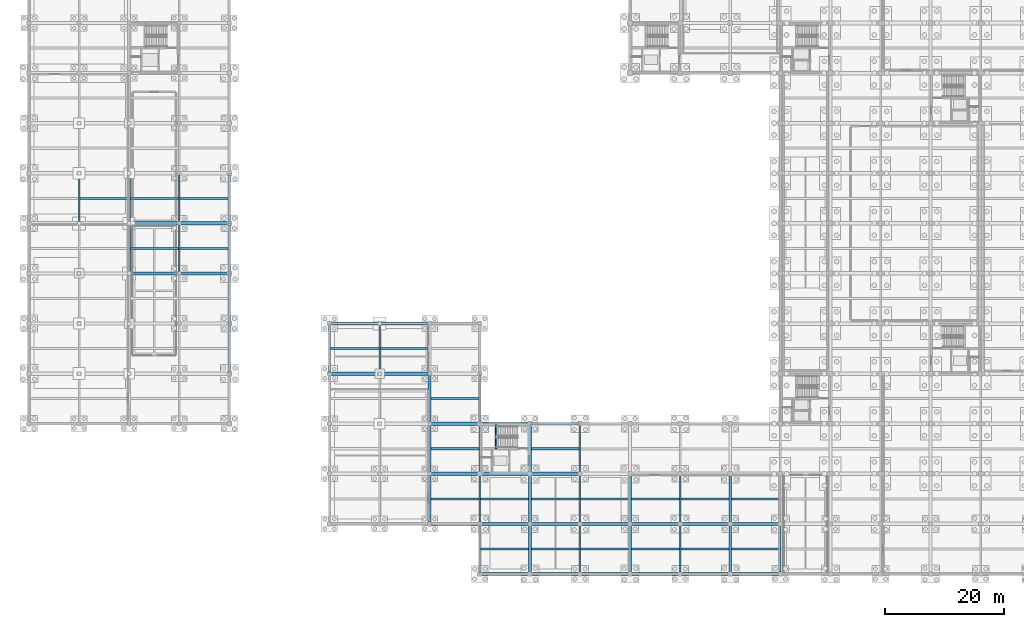
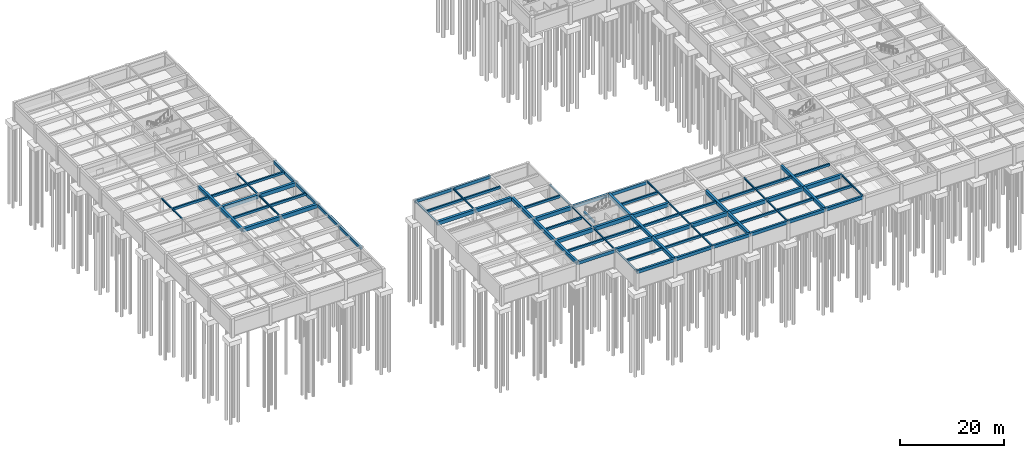
# One storey, part 9 of 33: 82 beams.
"""IFC4 building model written with IfcOpenShell, lengths in metres."""

from ifc_helpers import new_model, si_unit, direction, frame, origin, origin_2d, place, context, subcontext, project, spatial, rectangle, i_section, extrude, material, material_profile, profile_set, type_object, element, save


model = new_model("IFC4")

# Units and contexts
model_context = context("Model", 3, precision=1e-05, world=origin(), true_north=direction((0.0, 1.0)))
body_context = subcontext(model_context, "Body", "Model", "MODEL_VIEW")
ifc_project = project(units=[si_unit("LENGTHUNIT", "METRE"), si_unit("AREAUNIT", "SQUARE_METRE"), si_unit("VOLUMEUNIT", "CUBIC_METRE"), si_unit("PLANEANGLEUNIT", "RADIAN"), si_unit("MASSUNIT", "GRAM", prefix="KILO")], contexts=[model_context])

# Site, building, storey
site_placement = place(None, origin())
site = spatial("IfcSite", under=ifc_project, at=site_placement, CompositionType="ELEMENT")
building_placement = place(site_placement, origin())
building = spatial("IfcBuilding", under=site, at=building_placement, Name="Kveldsbrygga Polytechnic", CompositionType="ELEMENT")
storey_placement = place(building_placement, frame((0.0, 0.0, -4.419921875)))
storey = spatial("IfcBuildingStorey", under=building, at=storey_placement, Name="B1", CompositionType="ELEMENT", Elevation=-4.419921875)

# Beams
ifc_material_1 = material(Name="Concrete C35/45", Category="concrete")
ifc_material_profile_1 = material_profile(ifc_material_1, rectangle(XDim=0.449951171875, YDim=0.75, at=origin_2d()), Name="RC 450x750")
ifc_profile_set_1 = profile_set([ifc_material_profile_1], Name="Concrete C35/45")
beam_type_1 = type_object("IfcBeamType", Name="BM-RC-450x750", PredefinedType="BEAM", material=ifc_profile_set_1)
beam_1_placement = place(storey_placement, frame((67.199951171875, 8.39990234375, 3.724853515625), z_axis=(1.0, 0.0, 0.0), x_axis=(0.0, 1.0, 0.0)))
element("IfcBeam", 1, at=beam_1_placement, inside=storey, type_object=beam_type_1, Name="Primary Beam BMX-B1-08to09-01", PredefinedType="BEAM", context=body_context, shape_type="SweptSolid", body=[
    extrude(rectangle(XDim=0.449951171875, YDim=0.75, at=origin_2d()), origin(), (0.0, 0.0, 1.0), 8.400146484375),
])
for number, where, z_axis, x_axis, name in (
    (2, (75.60009765625, 25.199951171875, 3.724853515625), (1.0, 0.0, 0.0), (0.0, 1.0, 0.0), "Primary Beam BMX-B1-09to10-03"),
    (3, (84.0, 25.199951171875, 3.724853515625), (1.0, 0.0, 0.0), (0.0, 1.0, 0.0), "Primary Beam BMX-B1-10to11-03"),
):
    element("IfcBeam", number, at=place(storey_placement, frame(where, z_axis=z_axis, x_axis=x_axis)), inside=storey, type_object=beam_type_1, Name=name, PredefinedType="BEAM", context=body_context, shape_type="SweptSolid", body=[
        extrude(rectangle(XDim=0.449951171875, YDim=0.75, at=origin_2d()), origin(), (0.0, 0.0, 1.0), 8.39990234375),
    ])
beam_2_placement = place(storey_placement, frame((50.39990234375, 42.0, 3.724853515625), z_axis=(1.0, 0.0, 0.0), x_axis=(0.0, 1.0, 0.0)))
element("IfcBeam", 4, at=beam_2_placement, inside=storey, type_object=beam_type_1, Name="Primary Beam BMX-B1-06to07-05", PredefinedType="BEAM", context=body_context, shape_type="SweptSolid", body=[
    extrude(rectangle(XDim=0.449951171875, YDim=0.75, at=origin_2d()), origin(), (0.0, 0.0, 1.0), 8.400146484375),
])
for number, where, z_axis, x_axis, name in (
    (5, (58.800048828125, 42.0, 3.724853515625), (1.0, 0.0, 0.0), (0.0, 1.0, 0.0), "Primary Beam BMX-B1-07to08-05"),
    (6, (33.60009765625, 33.60009765625, 3.704833984375), (0.0, 1.0, 0.0), (-1.0, 0.0, 0.0), "Primary Beam BMY-B1-04-04to05"),
    (7, (33.60009765625, 42.0, 3.704833984375), (0.0, 1.0, 0.0), (-1.0, 0.0, 0.0), "Primary Beam BMY-B1-04-05to06"),
):
    element("IfcBeam", number, at=place(storey_placement, frame(where, z_axis=z_axis, x_axis=x_axis)), inside=storey, type_object=beam_type_1, Name=name, PredefinedType="BEAM", context=body_context, shape_type="SweptSolid", body=[
        extrude(rectangle(XDim=0.449951171875, YDim=0.75, at=origin_2d()), origin(), (0.0, 0.0, 1.0), 8.39990234375),
    ])
beam_3_placement = place(storey_placement, frame((33.60009765625, 50.39990234375, 3.704833984375), z_axis=(0.0, 1.0, 0.0), x_axis=(-1.0, 0.0, 0.0)))
element("IfcBeam", 8, at=beam_3_placement, inside=storey, type_object=beam_type_1, Name="Primary Beam BMY-B1-04-06to07", PredefinedType="BEAM", context=body_context, shape_type="SweptSolid", body=[
    extrude(rectangle(XDim=0.449951171875, YDim=0.75, at=origin_2d()), origin(), (0.0, 0.0, 1.0), 8.400146484375),
])
beam_4_placement = place(storey_placement, frame((33.60009765625, 58.800048828125, 3.704833984375), z_axis=(0.0, 1.0, 0.0), x_axis=(-1.0, 0.0, 0.0)))
element("IfcBeam", 9, at=beam_4_placement, inside=storey, type_object=beam_type_1, Name="Primary Beam BMY-B1-04-07to08", PredefinedType="BEAM", context=body_context, shape_type="SweptSolid", body=[
    extrude(rectangle(XDim=0.449951171875, YDim=0.75, at=origin_2d()), origin(), (0.0, 0.0, 1.0), 8.39990234375),
])
ifc_material_profile_2 = material_profile(ifc_material_1, rectangle(XDim=0.4599609375, YDim=0.739990234375, at=origin_2d()), Name="RC 460x740")
ifc_profile_set_2 = profile_set([ifc_material_profile_2], Name="Concrete C35/45")
beam_type_2 = type_object("IfcBeamType", Name="BM-RC-460x740", PredefinedType="BEAM", material=ifc_profile_set_2)
for number, where, z_axis, x_axis, name in (
    (10, (75.60009765625, 0.0, 3.75), (1.0, 0.0, 0.0), (0.0, 1.0, 0.0), "Primary Beam BMX-B1-09to10-00"),
    (11, (84.0, 0.0, 3.75), (1.0, 0.0, 0.0), (0.0, 1.0, 0.0), "Primary Beam BMX-B1-10to11-00"),
):
    element("IfcBeam", number, at=place(storey_placement, frame(where, z_axis=z_axis, x_axis=x_axis)), inside=storey, type_object=beam_type_2, Name=name, PredefinedType="BEAM", context=body_context, shape_type="SweptSolid", body=[
        extrude(rectangle(XDim=0.4599609375, YDim=0.739990234375, at=origin_2d()), origin(), (0.0, 0.0, 1.0), 8.39990234375),
    ])
beam_5_placement = place(storey_placement, frame((92.39990234375, 0.0, 3.75), z_axis=(1.0, 0.0, 0.0), x_axis=(0.0, 1.0, 0.0)))
element("IfcBeam", 12, at=beam_5_placement, inside=storey, type_object=beam_type_2, Name="Primary Beam BMX-B1-11to12-00", PredefinedType="BEAM", context=body_context, shape_type="SweptSolid", body=[
    extrude(rectangle(XDim=0.4599609375, YDim=0.739990234375, at=origin_2d()), origin(), (0.0, 0.0, 1.0), 8.400146484375),
])
beam_6_placement = place(storey_placement, frame((100.800048828125, 0.0, 3.75), z_axis=(1.0, 0.0, 0.0), x_axis=(0.0, 1.0, 0.0)))
element("IfcBeam", 13, at=beam_6_placement, inside=storey, type_object=beam_type_2, Name="Primary Beam BMX-B1-12to13-00", PredefinedType="BEAM", context=body_context, shape_type="SweptSolid", body=[
    extrude(rectangle(XDim=0.4599609375, YDim=0.739990234375, at=origin_2d()), origin(), (0.0, 0.0, 1.0), 8.39990234375),
])
beam_7_placement = place(storey_placement, frame((109.199951171875, 0.0, 3.75), z_axis=(1.0, 0.0, 0.0), x_axis=(0.0, 1.0, 0.0)))
element("IfcBeam", 14, at=beam_7_placement, inside=storey, type_object=beam_type_2, Name="Primary Beam BMX-B1-13to14-00", PredefinedType="BEAM", context=body_context, shape_type="SweptSolid", body=[
    extrude(rectangle(XDim=0.4599609375, YDim=0.739990234375, at=origin_2d()), origin(), (0.0, 0.0, 1.0), 8.400146484375),
])
beam_8_placement = place(storey_placement, frame((117.60009765625, 0.0, 3.75), z_axis=(1.0, 0.0, 0.0), x_axis=(0.0, 1.0, 0.0)))
element("IfcBeam", 15, at=beam_8_placement, inside=storey, type_object=beam_type_2, Name="Primary Beam BMX-B1-14to15-00", PredefinedType="BEAM", context=body_context, shape_type="SweptSolid", body=[
    extrude(rectangle(XDim=0.4599609375, YDim=0.739990234375, at=origin_2d()), origin(), (0.0, 0.0, 1.0), 8.39990234375),
])
ifc_material_profile_3 = material_profile(ifc_material_1, rectangle(XDim=0.5, YDim=0.800048828125, at=origin_2d()), Name="RC 500x800")
ifc_profile_set_3 = profile_set([ifc_material_profile_3], Name="Concrete C35/45")
beam_type_3 = type_object("IfcBeamType", Name="BM-RC-500x800", PredefinedType="BEAM", material=ifc_profile_set_3)
beam_9_placement = place(storey_placement, frame((16.800048828125, 50.39990234375, 3.679931640625), z_axis=(0.0, 1.0, 0.0), x_axis=(-1.0, 0.0, 0.0)))
element("IfcBeam", 16, at=beam_9_placement, inside=storey, type_object=beam_type_3, Name="Primary Beam BMY-B1-02-06to07", PredefinedType="BEAM", context=body_context, shape_type="SweptSolid", body=[
    extrude(rectangle(XDim=0.5, YDim=0.800048828125, at=origin_2d()), origin(), (0.0, 0.0, 1.0), 8.400146484375),
])
beam_10_placement = place(storey_placement, frame((16.800048828125, 58.800048828125, 3.679931640625), z_axis=(0.0, 1.0, 0.0), x_axis=(-1.0, 0.0, 0.0)))
element("IfcBeam", 17, at=beam_10_placement, inside=storey, type_object=beam_type_3, Name="Primary Beam BMY-B1-02-07to08", PredefinedType="BEAM", context=body_context, shape_type="SweptSolid", body=[
    extrude(rectangle(XDim=0.5, YDim=0.800048828125, at=origin_2d()), origin(), (0.0, 0.0, 1.0), 8.39990234375),
])
beam_11_placement = place(storey_placement, frame((67.199951171875, 8.39990234375, 3.699951171875), z_axis=(0.0, 1.0, 0.0), x_axis=(-1.0, 0.0, 0.0)))
element("IfcBeam", 18, at=beam_11_placement, inside=storey, type_object=beam_type_3, Name="Primary Beam BMY-B1-08-01to02", PredefinedType="BEAM", context=body_context, shape_type="SweptSolid", body=[
    extrude(rectangle(XDim=0.5, YDim=0.800048828125, at=origin_2d()), origin(), (0.0, 0.0, 1.0), 8.400146484375),
])
beam_12_placement = place(storey_placement, frame((67.199951171875, 16.800048828125, 3.699951171875), z_axis=(0.0, 1.0, 0.0), x_axis=(-1.0, 0.0, 0.0)))
element("IfcBeam", 19, at=beam_12_placement, inside=storey, type_object=beam_type_3, Name="Primary Beam BMY-B1-08-02to03", PredefinedType="BEAM", context=body_context, shape_type="SweptSolid", body=[
    extrude(rectangle(XDim=0.5, YDim=0.800048828125, at=origin_2d()), origin(), (0.0, 0.0, 1.0), 8.39990234375),
])
beam_13_placement = place(storey_placement, frame((67.199951171875, 25.199951171875, 3.699951171875), z_axis=(0.0, 1.0, 0.0), x_axis=(-1.0, 0.0, 0.0)))
element("IfcBeam", 20, at=beam_13_placement, inside=storey, type_object=beam_type_3, Name="Primary Beam BMY-B1-08-03to04", PredefinedType="BEAM", context=body_context, shape_type="SweptSolid", body=[
    extrude(rectangle(XDim=0.5, YDim=0.800048828125, at=origin_2d()), origin(), (0.0, 0.0, 1.0), 8.400146484375),
])
beam_14_placement = place(storey_placement, frame((84.0, 0.0, 3.719970703125), z_axis=(0.0, 1.0, 0.0), x_axis=(-1.0, 0.0, 0.0)))
element("IfcBeam", 21, at=beam_14_placement, inside=storey, type_object=beam_type_3, Name="Primary Beam BMY-B1-10-00to01", PredefinedType="BEAM", context=body_context, shape_type="SweptSolid", body=[
    extrude(rectangle(XDim=0.5, YDim=0.800048828125, at=origin_2d()), origin(), (0.0, 0.0, 1.0), 8.39990234375),
])
beam_15_placement = place(storey_placement, frame((84.0, 8.39990234375, 3.719970703125), z_axis=(0.0, 1.0, 0.0), x_axis=(-1.0, 0.0, 0.0)))
element("IfcBeam", 22, at=beam_15_placement, inside=storey, type_object=beam_type_3, Name="Primary Beam BMY-B1-10-01to02", PredefinedType="BEAM", context=body_context, shape_type="SweptSolid", body=[
    extrude(rectangle(XDim=0.5, YDim=0.800048828125, at=origin_2d()), origin(), (0.0, 0.0, 1.0), 8.400146484375),
])
for number, where, z_axis, x_axis, name in (
    (23, (84.0, 16.800048828125, 3.719970703125), (0.0, 1.0, 0.0), (-1.0, 0.0, 0.0), "Primary Beam BMY-B1-10-02to03"),
    (24, (100.800048828125, 0.0, 3.719970703125), (0.0, 1.0, 0.0), (-1.0, 0.0, 0.0), "Primary Beam BMY-B1-12-00to01"),
):
    element("IfcBeam", number, at=place(storey_placement, frame(where, z_axis=z_axis, x_axis=x_axis)), inside=storey, type_object=beam_type_3, Name=name, PredefinedType="BEAM", context=body_context, shape_type="SweptSolid", body=[
        extrude(rectangle(XDim=0.5, YDim=0.800048828125, at=origin_2d()), origin(), (0.0, 0.0, 1.0), 8.39990234375),
    ])
beam_16_placement = place(storey_placement, frame((100.800048828125, 8.39990234375, 3.719970703125), z_axis=(0.0, 1.0, 0.0), x_axis=(-1.0, 0.0, 0.0)))
element("IfcBeam", 25, at=beam_16_placement, inside=storey, type_object=beam_type_3, Name="Primary Beam BMY-B1-12-01to02", PredefinedType="BEAM", context=body_context, shape_type="SweptSolid", body=[
    extrude(rectangle(XDim=0.5, YDim=0.800048828125, at=origin_2d()), origin(), (0.0, 0.0, 1.0), 8.400146484375),
])
beam_17_placement = place(storey_placement, frame((117.60009765625, 0.0, 3.719970703125), z_axis=(0.0, 1.0, 0.0), x_axis=(-1.0, 0.0, 0.0)))
element("IfcBeam", 26, at=beam_17_placement, inside=storey, type_object=beam_type_3, Name="Primary Beam BMY-B1-14-00to01", PredefinedType="BEAM", context=body_context, shape_type="SweptSolid", body=[
    extrude(rectangle(XDim=0.5, YDim=0.800048828125, at=origin_2d()), origin(), (0.0, 0.0, 1.0), 8.39990234375),
])
beam_18_placement = place(storey_placement, frame((117.60009765625, 8.39990234375, 3.719970703125), z_axis=(0.0, 1.0, 0.0), x_axis=(-1.0, 0.0, 0.0)))
element("IfcBeam", 27, at=beam_18_placement, inside=storey, type_object=beam_type_3, Name="Primary Beam BMY-B1-14-01to02", PredefinedType="BEAM", context=body_context, shape_type="SweptSolid", body=[
    extrude(rectangle(XDim=0.5, YDim=0.800048828125, at=origin_2d()), origin(), (0.0, 0.0, 1.0), 8.400146484375),
])
ifc_material_2 = material(Name="Concrete C45/55", Category="concrete")
ifc_material_profile_4 = material_profile(ifc_material_2, rectangle(XDim=0.550048828125, YDim=0.8798828125, at=origin_2d()), Name="RC 550x880")
ifc_profile_set_4 = profile_set([ifc_material_profile_4], Name="Concrete C45/55")
beam_type_4 = type_object("IfcBeamType", Name="BM-RC-550x880", PredefinedType="BEAM", material=ifc_profile_set_4)
for number, where, z_axis, x_axis, name in (
    (28, (75.60009765625, 8.39990234375, 3.679931640625), (1.0, 0.0, 0.0), (0.0, 1.0, 0.0), "Primary Beam BMX-B1-09to10-01"),
    (29, (84.0, 8.39990234375, 3.679931640625), (1.0, 0.0, 0.0), (0.0, 1.0, 0.0), "Primary Beam BMX-B1-10to11-01"),
):
    element("IfcBeam", number, at=place(storey_placement, frame(where, z_axis=z_axis, x_axis=x_axis)), inside=storey, type_object=beam_type_4, Name=name, PredefinedType="BEAM", context=body_context, shape_type="SweptSolid", body=[
        extrude(rectangle(XDim=0.550048828125, YDim=0.8798828125, at=origin_2d()), origin(), (0.0, 0.0, 1.0), 8.39990234375),
    ])
beam_19_placement = place(storey_placement, frame((92.39990234375, 8.39990234375, 3.679931640625), z_axis=(1.0, 0.0, 0.0), x_axis=(0.0, 1.0, 0.0)))
element("IfcBeam", 30, at=beam_19_placement, inside=storey, type_object=beam_type_4, Name="Primary Beam BMX-B1-11to12-01", PredefinedType="BEAM", context=body_context, shape_type="SweptSolid", body=[
    extrude(rectangle(XDim=0.550048828125, YDim=0.8798828125, at=origin_2d()), origin(), (0.0, 0.0, 1.0), 8.400146484375),
])
beam_20_placement = place(storey_placement, frame((100.800048828125, 8.39990234375, 3.679931640625), z_axis=(1.0, 0.0, 0.0), x_axis=(0.0, 1.0, 0.0)))
element("IfcBeam", 31, at=beam_20_placement, inside=storey, type_object=beam_type_4, Name="Primary Beam BMX-B1-12to13-01", PredefinedType="BEAM", context=body_context, shape_type="SweptSolid", body=[
    extrude(rectangle(XDim=0.550048828125, YDim=0.8798828125, at=origin_2d()), origin(), (0.0, 0.0, 1.0), 8.39990234375),
])
beam_21_placement = place(storey_placement, frame((109.199951171875, 8.39990234375, 3.679931640625), z_axis=(1.0, 0.0, 0.0), x_axis=(0.0, 1.0, 0.0)))
element("IfcBeam", 32, at=beam_21_placement, inside=storey, type_object=beam_type_4, Name="Primary Beam BMX-B1-13to14-01", PredefinedType="BEAM", context=body_context, shape_type="SweptSolid", body=[
    extrude(rectangle(XDim=0.550048828125, YDim=0.8798828125, at=origin_2d()), origin(), (0.0, 0.0, 1.0), 8.400146484375),
])
beam_22_placement = place(storey_placement, frame((117.60009765625, 8.39990234375, 3.679931640625), z_axis=(1.0, 0.0, 0.0), x_axis=(0.0, 1.0, 0.0)))
element("IfcBeam", 33, at=beam_22_placement, inside=storey, type_object=beam_type_4, Name="Primary Beam BMX-B1-14to15-01", PredefinedType="BEAM", context=body_context, shape_type="SweptSolid", body=[
    extrude(rectangle(XDim=0.550048828125, YDim=0.8798828125, at=origin_2d()), origin(), (0.0, 0.0, 1.0), 8.39990234375),
])
beam_23_placement = place(storey_placement, frame((67.199951171875, 16.800048828125, 3.659912109375), z_axis=(1.0, 0.0, 0.0), x_axis=(0.0, 1.0, 0.0)))
element("IfcBeam", 34, at=beam_23_placement, inside=storey, type_object=beam_type_4, Name="Primary Beam BMX-B1-08to09-02", PredefinedType="BEAM", context=body_context, shape_type="SweptSolid", body=[
    extrude(rectangle(XDim=0.550048828125, YDim=0.8798828125, at=origin_2d()), origin(), (0.0, 0.0, 1.0), 8.400146484375),
])
for number, where, z_axis, x_axis, name in (
    (35, (75.60009765625, 16.800048828125, 3.679931640625), (1.0, 0.0, 0.0), (0.0, 1.0, 0.0), "Primary Beam BMX-B1-09to10-02"),
    (36, (84.0, 16.800048828125, 3.679931640625), (1.0, 0.0, 0.0), (0.0, 1.0, 0.0), "Primary Beam BMX-B1-10to11-02"),
):
    element("IfcBeam", number, at=place(storey_placement, frame(where, z_axis=z_axis, x_axis=x_axis)), inside=storey, type_object=beam_type_4, Name=name, PredefinedType="BEAM", context=body_context, shape_type="SweptSolid", body=[
        extrude(rectangle(XDim=0.550048828125, YDim=0.8798828125, at=origin_2d()), origin(), (0.0, 0.0, 1.0), 8.39990234375),
    ])
for number, where, z_axis, x_axis, name in (
    (37, (67.199951171875, 25.199951171875, 3.659912109375), (1.0, 0.0, 0.0), (0.0, 1.0, 0.0), "Primary Beam BMX-B1-08to09-03"),
    (38, (50.39990234375, 33.60009765625, 3.659912109375), (1.0, 0.0, 0.0), (0.0, 1.0, 0.0), "Primary Beam BMX-B1-06to07-04"),
):
    element("IfcBeam", number, at=place(storey_placement, frame(where, z_axis=z_axis, x_axis=x_axis)), inside=storey, type_object=beam_type_4, Name=name, PredefinedType="BEAM", context=body_context, shape_type="SweptSolid", body=[
        extrude(rectangle(XDim=0.550048828125, YDim=0.8798828125, at=origin_2d()), origin(), (0.0, 0.0, 1.0), 8.400146484375),
    ])
for number, where, z_axis, x_axis, name in (
    (39, (58.800048828125, 33.60009765625, 3.659912109375), (1.0, 0.0, 0.0), (0.0, 1.0, 0.0), "Primary Beam BMX-B1-07to08-04"),
    (40, (16.800048828125, 50.39990234375, 3.639892578125), (1.0, 0.0, 0.0), (0.0, 1.0, 0.0), "Primary Beam BMX-B1-02to03-06"),
):
    element("IfcBeam", number, at=place(storey_placement, frame(where, z_axis=z_axis, x_axis=x_axis)), inside=storey, type_object=beam_type_4, Name=name, PredefinedType="BEAM", context=body_context, shape_type="SweptSolid", body=[
        extrude(rectangle(XDim=0.550048828125, YDim=0.8798828125, at=origin_2d()), origin(), (0.0, 0.0, 1.0), 8.39990234375),
    ])
beam_24_placement = place(storey_placement, frame((25.199951171875, 50.39990234375, 3.639892578125), z_axis=(1.0, 0.0, 0.0), x_axis=(0.0, 1.0, 0.0)))
element("IfcBeam", 41, at=beam_24_placement, inside=storey, type_object=beam_type_4, Name="Primary Beam BMX-B1-03to04-06", PredefinedType="BEAM", context=body_context, shape_type="SweptSolid", body=[
    extrude(rectangle(XDim=0.550048828125, YDim=0.8798828125, at=origin_2d()), origin(), (0.0, 0.0, 1.0), 8.400146484375),
])
beam_25_placement = place(storey_placement, frame((16.800048828125, 58.800048828125, 3.639892578125), z_axis=(1.0, 0.0, 0.0), x_axis=(0.0, 1.0, 0.0)))
element("IfcBeam", 42, at=beam_25_placement, inside=storey, type_object=beam_type_4, Name="Primary Beam BMX-B1-02to03-07", PredefinedType="BEAM", context=body_context, shape_type="SweptSolid", body=[
    extrude(rectangle(XDim=0.550048828125, YDim=0.8798828125, at=origin_2d()), origin(), (0.0, 0.0, 1.0), 8.39990234375),
])
beam_26_placement = place(storey_placement, frame((25.199951171875, 58.800048828125, 3.639892578125), z_axis=(1.0, 0.0, 0.0), x_axis=(0.0, 1.0, 0.0)))
element("IfcBeam", 43, at=beam_26_placement, inside=storey, type_object=beam_type_4, Name="Primary Beam BMX-B1-03to04-07", PredefinedType="BEAM", context=body_context, shape_type="SweptSolid", body=[
    extrude(rectangle(XDim=0.550048828125, YDim=0.8798828125, at=origin_2d()), origin(), (0.0, 0.0, 1.0), 8.400146484375),
])
ifc_material_3 = material(Name="Steel S355", Category="steel")
ifc_material_profile_5 = material_profile(ifc_material_3, i_section(OverallWidth=0.300048828125, OverallDepth=0.31005859375, WebThickness=0.009033203125, FlangeThickness=0.015380859375, FilletRadius=0.027099609375, at=origin_2d()), Name="HEA 320")
ifc_profile_set_5 = profile_set([ifc_material_profile_5], Name="Steel S355")
beam_type_5 = type_object("IfcBeamType", Name="BM-STL-HEA320", PredefinedType="BEAM", material=ifc_profile_set_5)
for number, where, z_axis, x_axis, name in (
    (44, (50.39990234375, 33.60009765625, 3.94482421875), (0.0, 1.0, 0.0), (-1.0, 0.0, 0.0), "Primary Beam BMY-B1-06-04to05"),
    (45, (75.60009765625, 0.0, 3.94482421875), (0.0, 1.0, 0.0), (-1.0, 0.0, 0.0), "Primary Beam BMY-B1-09-00to01"),
):
    element("IfcBeam", number, at=place(storey_placement, frame(where, z_axis=z_axis, x_axis=x_axis)), inside=storey, type_object=beam_type_5, Name=name, PredefinedType="BEAM", context=body_context, shape_type="SweptSolid", body=[
        extrude(i_section(OverallWidth=0.300048828125, OverallDepth=0.31005859375, WebThickness=0.009033203125, FlangeThickness=0.015380859375, FilletRadius=0.027099609375, at=origin_2d()), origin(), (0.0, 0.0, 1.0), 8.39990234375),
    ])
beam_27_placement = place(storey_placement, frame((75.60009765625, 25.199951171875, 3.94482421875), z_axis=(0.0, 1.0, 0.0), x_axis=(-1.0, 0.0, 0.0)))
element("IfcBeam", 46, at=beam_27_placement, inside=storey, type_object=beam_type_5, Name="Primary Beam BMY-B1-09-03to04", PredefinedType="BEAM", context=body_context, shape_type="SweptSolid", body=[
    extrude(i_section(OverallWidth=0.300048828125, OverallDepth=0.31005859375, WebThickness=0.009033203125, FlangeThickness=0.015380859375, FilletRadius=0.027099609375, at=origin_2d()), origin(), (0.0, 0.0, 1.0), 8.400146484375),
])
ifc_material_profile_6 = material_profile(ifc_material_3, i_section(OverallWidth=0.260009765625, OverallDepth=0.260009765625, WebThickness=0.010009765625, FlangeThickness=0.017578125, FilletRadius=0.02392578125, at=origin_2d()), Name="HEB 260")
ifc_profile_set_6 = profile_set([ifc_material_profile_6], Name="Steel S355")
beam_type_6 = type_object("IfcBeamType", Name="BM-STL-HEB260", PredefinedType="BEAM", material=ifc_profile_set_6)
beam_28_placement = place(storey_placement, frame((8.39990234375, 58.800048828125, 3.949951171875), z_axis=(0.0, 1.0, 0.0), x_axis=(-1.0, 0.0, 0.0)))
element("IfcBeam", 47, at=beam_28_placement, inside=storey, type_object=beam_type_6, Name="Primary Beam BMY-B1-01-07to08", PredefinedType="BEAM", context=body_context, shape_type="SweptSolid", body=[
    extrude(i_section(OverallWidth=0.260009765625, OverallDepth=0.260009765625, WebThickness=0.010009765625, FlangeThickness=0.017578125, FilletRadius=0.02392578125, at=origin_2d()), origin(), (0.0, 0.0, 1.0), 8.39990234375),
])
beam_29_placement = place(storey_placement, frame((25.199951171875, 50.39990234375, 3.949951171875), z_axis=(0.0, 1.0, 0.0), x_axis=(-1.0, 0.0, 0.0)))
element("IfcBeam", 48, at=beam_29_placement, inside=storey, type_object=beam_type_6, Name="Primary Beam BMY-B1-03-06to07", PredefinedType="BEAM", context=body_context, shape_type="SweptSolid", body=[
    extrude(i_section(OverallWidth=0.260009765625, OverallDepth=0.260009765625, WebThickness=0.010009765625, FlangeThickness=0.017578125, FilletRadius=0.02392578125, at=origin_2d()), origin(), (0.0, 0.0, 1.0), 8.400146484375),
])
for number, where, z_axis, x_axis, name in (
    (49, (25.199951171875, 58.800048828125, 3.949951171875), (0.0, 1.0, 0.0), (-1.0, 0.0, 0.0), "Primary Beam BMY-B1-03-07to08"),
    (50, (58.800048828125, 33.60009765625, 3.969970703125), (0.0, 1.0, 0.0), (-1.0, 0.0, 0.0), "Primary Beam BMY-B1-07-04to05"),
):
    element("IfcBeam", number, at=place(storey_placement, frame(where, z_axis=z_axis, x_axis=x_axis)), inside=storey, type_object=beam_type_6, Name=name, PredefinedType="BEAM", context=body_context, shape_type="SweptSolid", body=[
        extrude(i_section(OverallWidth=0.260009765625, OverallDepth=0.260009765625, WebThickness=0.010009765625, FlangeThickness=0.017578125, FilletRadius=0.02392578125, at=origin_2d()), origin(), (0.0, 0.0, 1.0), 8.39990234375),
    ])
beam_30_placement = place(storey_placement, frame((75.60009765625, 8.39990234375, 3.969970703125), z_axis=(0.0, 1.0, 0.0), x_axis=(-1.0, 0.0, 0.0)))
element("IfcBeam", 51, at=beam_30_placement, inside=storey, type_object=beam_type_6, Name="Primary Beam BMY-B1-09-01to02", PredefinedType="BEAM", context=body_context, shape_type="SweptSolid", body=[
    extrude(i_section(OverallWidth=0.260009765625, OverallDepth=0.260009765625, WebThickness=0.010009765625, FlangeThickness=0.017578125, FilletRadius=0.02392578125, at=origin_2d()), origin(), (0.0, 0.0, 1.0), 8.400146484375),
])
for number, where, z_axis, x_axis, name in (
    (52, (75.60009765625, 16.800048828125, 3.969970703125), (0.0, 1.0, 0.0), (-1.0, 0.0, 0.0), "Primary Beam BMY-B1-09-02to03"),
    (53, (92.39990234375, 0.0, 3.989990234375), (0.0, 1.0, 0.0), (-1.0, 0.0, 0.0), "Primary Beam BMY-B1-11-00to01"),
):
    element("IfcBeam", number, at=place(storey_placement, frame(where, z_axis=z_axis, x_axis=x_axis)), inside=storey, type_object=beam_type_6, Name=name, PredefinedType="BEAM", context=body_context, shape_type="SweptSolid", body=[
        extrude(i_section(OverallWidth=0.260009765625, OverallDepth=0.260009765625, WebThickness=0.010009765625, FlangeThickness=0.017578125, FilletRadius=0.02392578125, at=origin_2d()), origin(), (0.0, 0.0, 1.0), 8.39990234375),
    ])
beam_31_placement = place(storey_placement, frame((92.39990234375, 8.39990234375, 3.989990234375), z_axis=(0.0, 1.0, 0.0), x_axis=(-1.0, 0.0, 0.0)))
element("IfcBeam", 54, at=beam_31_placement, inside=storey, type_object=beam_type_6, Name="Primary Beam BMY-B1-11-01to02", PredefinedType="BEAM", context=body_context, shape_type="SweptSolid", body=[
    extrude(i_section(OverallWidth=0.260009765625, OverallDepth=0.260009765625, WebThickness=0.010009765625, FlangeThickness=0.017578125, FilletRadius=0.02392578125, at=origin_2d()), origin(), (0.0, 0.0, 1.0), 8.400146484375),
])
for number, where, z_axis, x_axis, name in (
    (55, (92.39990234375, 16.800048828125, 3.989990234375), (0.0, 1.0, 0.0), (-1.0, 0.0, 0.0), "Primary Beam BMY-B1-11-02to03"),
    (56, (109.199951171875, 0.0, 3.989990234375), (0.0, 1.0, 0.0), (-1.0, 0.0, 0.0), "Primary Beam BMY-B1-13-00to01"),
):
    element("IfcBeam", number, at=place(storey_placement, frame(where, z_axis=z_axis, x_axis=x_axis)), inside=storey, type_object=beam_type_6, Name=name, PredefinedType="BEAM", context=body_context, shape_type="SweptSolid", body=[
        extrude(i_section(OverallWidth=0.260009765625, OverallDepth=0.260009765625, WebThickness=0.010009765625, FlangeThickness=0.017578125, FilletRadius=0.02392578125, at=origin_2d()), origin(), (0.0, 0.0, 1.0), 8.39990234375),
    ])
beam_32_placement = place(storey_placement, frame((109.199951171875, 8.39990234375, 3.989990234375), z_axis=(0.0, 1.0, 0.0), x_axis=(-1.0, 0.0, 0.0)))
element("IfcBeam", 57, at=beam_32_placement, inside=storey, type_object=beam_type_6, Name="Primary Beam BMY-B1-13-01to02", PredefinedType="BEAM", context=body_context, shape_type="SweptSolid", body=[
    extrude(i_section(OverallWidth=0.260009765625, OverallDepth=0.260009765625, WebThickness=0.010009765625, FlangeThickness=0.017578125, FilletRadius=0.02392578125, at=origin_2d()), origin(), (0.0, 0.0, 1.0), 8.400146484375),
])
beam_33_placement = place(storey_placement, frame((126.0, 0.0, 3.989990234375), z_axis=(0.0, 1.0, 0.0), x_axis=(-1.0, 0.0, 0.0)))
element("IfcBeam", 58, at=beam_33_placement, inside=storey, type_object=beam_type_6, Name="Primary Beam BMY-B1-15-00to01", PredefinedType="BEAM", context=body_context, shape_type="SweptSolid", body=[
    extrude(i_section(OverallWidth=0.260009765625, OverallDepth=0.260009765625, WebThickness=0.010009765625, FlangeThickness=0.017578125, FilletRadius=0.02392578125, at=origin_2d()), origin(), (0.0, 0.0, 1.0), 8.39990234375),
])
ifc_material_profile_7 = material_profile(ifc_material_1, rectangle(XDim=0.340087890625, YDim=0.56005859375, at=origin_2d()), Name="RC 340x560")
ifc_profile_set_7 = profile_set([ifc_material_profile_7], Name="Concrete C35/45")
beam_type_7 = type_object("IfcBeamType", Name="JST-RC-340x560", PredefinedType="JOIST", material=ifc_profile_set_7)
beam_34_placement = place(storey_placement, frame((17.050048828125, 63.0, 3.7998046875), z_axis=(1.0, 0.0, 0.0), x_axis=(0.0, 1.0, 0.0)))
element("IfcBeam", 59, at=beam_34_placement, inside=storey, type_object=beam_type_7, Name="Secondary Joist JST-B1-02-07", PredefinedType="JOIST", context=body_context, shape_type="SweptSolid", body=[
    extrude(rectangle(XDim=0.340087890625, YDim=0.56005859375, at=origin_2d()), origin(), (0.0, 0.0, 1.0), 8.02001953125),
])
beam_35_placement = place(storey_placement, frame((25.330078125, 54.60009765625, 3.7998046875), z_axis=(1.0, 0.0, 0.0), x_axis=(0.0, 1.0, 0.0)))
element("IfcBeam", 60, at=beam_35_placement, inside=storey, type_object=beam_type_7, Name="Secondary Joist JST-B1-03-06", PredefinedType="JOIST", context=body_context, shape_type="SweptSolid", body=[
    extrude(rectangle(XDim=0.340087890625, YDim=0.56005859375, at=origin_2d()), origin(), (0.0, 0.0, 1.0), 8.044921875),
])
for number, where, z_axis, x_axis, name in (
    (61, (58.929931640625, 37.800048828125, 3.81982421875), (1.0, 0.0, 0.0), (0.0, 1.0, 0.0), "Secondary Joist JST-B1-07-04"),
    (62, (67.449951171875, 12.60009765625, 3.81982421875), (1.0, 0.0, 0.0), (0.0, 1.0, 0.0), "Secondary Joist JST-B1-08-01"),
):
    element("IfcBeam", number, at=place(storey_placement, frame(where, z_axis=z_axis, x_axis=x_axis)), inside=storey, type_object=beam_type_7, Name=name, PredefinedType="JOIST", context=body_context, shape_type="SweptSolid", body=[
        extrude(rectangle(XDim=0.340087890625, YDim=0.56005859375, at=origin_2d()), origin(), (0.0, 0.0, 1.0), 8.02001953125),
    ])
for number, where, z_axis, x_axis, name in (
    (63, (67.449951171875, 29.39990234375, 3.81982421875), (1.0, 0.0, 0.0), (0.0, 1.0, 0.0), "Secondary Joist JST-B1-08-03"),
    (64, (75.75, 4.199951171875, 3.83984375), (1.0, 0.0, 0.0), (0.0, 1.0, 0.0), "Secondary Joist JST-B1-09-00"),
):
    element("IfcBeam", number, at=place(storey_placement, frame(where, z_axis=z_axis, x_axis=x_axis)), inside=storey, type_object=beam_type_7, Name=name, PredefinedType="JOIST", context=body_context, shape_type="SweptSolid", body=[
        extrude(rectangle(XDim=0.340087890625, YDim=0.56005859375, at=origin_2d()), origin(), (0.0, 0.0, 1.0), 8.0),
    ])
for number, where, z_axis, x_axis, name in (
    (65, (84.25, 12.60009765625, 3.83984375), (1.0, 0.0, 0.0), (0.0, 1.0, 0.0), "Secondary Joist JST-B1-10-01"),
    (66, (92.530029296875, 4.199951171875, 3.83984375), (1.0, 0.0, 0.0), (0.0, 1.0, 0.0), "Secondary Joist JST-B1-11-00"),
    (67, (101.050048828125, 12.60009765625, 3.83984375), (1.0, 0.0, 0.0), (0.0, 1.0, 0.0), "Secondary Joist JST-B1-12-01"),
    (68, (109.330078125, 4.199951171875, 3.83984375), (1.0, 0.0, 0.0), (0.0, 1.0, 0.0), "Secondary Joist JST-B1-13-00"),
    (69, (117.85009765625, 12.60009765625, 3.83984375), (1.0, 0.0, 0.0), (0.0, 1.0, 0.0), "Secondary Joist JST-B1-14-01"),
):
    element("IfcBeam", number, at=place(storey_placement, frame(where, z_axis=z_axis, x_axis=x_axis)), inside=storey, type_object=beam_type_7, Name=name, PredefinedType="JOIST", context=body_context, shape_type="SweptSolid", body=[
        extrude(rectangle(XDim=0.340087890625, YDim=0.56005859375, at=origin_2d()), origin(), (0.0, 0.0, 1.0), 8.02001953125),
    ])
ifc_material_profile_8 = material_profile(ifc_material_1, rectangle(XDim=0.35009765625, YDim=0.550048828125, at=origin_2d()), Name="RC 350x550")
ifc_profile_set_8 = profile_set([ifc_material_profile_8], Name="Concrete C35/45")
beam_type_8 = type_object("IfcBeamType", Name="JST-RC-350x550", PredefinedType="JOIST", material=ifc_profile_set_8)
for number, where, z_axis, x_axis, name in (
    (70, (8.530029296875, 63.0, 3.804931640625), (1.0, 0.0, 0.0), (0.0, 1.0, 0.0), "Secondary Joist JST-B1-01-07"),
    (71, (17.050048828125, 54.60009765625, 3.804931640625), (1.0, 0.0, 0.0), (0.0, 1.0, 0.0), "Secondary Joist JST-B1-02-06"),
):
    element("IfcBeam", number, at=place(storey_placement, frame(where, z_axis=z_axis, x_axis=x_axis)), inside=storey, type_object=beam_type_8, Name=name, PredefinedType="JOIST", context=body_context, shape_type="SweptSolid", body=[
        extrude(rectangle(XDim=0.35009765625, YDim=0.550048828125, at=origin_2d()), origin(), (0.0, 0.0, 1.0), 8.02001953125),
    ])
beam_36_placement = place(storey_placement, frame((25.330078125, 63.0, 3.804931640625), z_axis=(1.0, 0.0, 0.0), x_axis=(0.0, 1.0, 0.0)))
element("IfcBeam", 72, at=beam_36_placement, inside=storey, type_object=beam_type_8, Name="Secondary Joist JST-B1-03-07", PredefinedType="JOIST", context=body_context, shape_type="SweptSolid", body=[
    extrude(rectangle(XDim=0.35009765625, YDim=0.550048828125, at=origin_2d()), origin(), (0.0, 0.0, 1.0), 8.044921875),
])
beam_37_placement = place(storey_placement, frame((50.550048828125, 37.800048828125, 3.824951171875), z_axis=(1.0, 0.0, 0.0), x_axis=(0.0, 1.0, 0.0)))
element("IfcBeam", 73, at=beam_37_placement, inside=storey, type_object=beam_type_8, Name="Secondary Joist JST-B1-06-04", PredefinedType="JOIST", context=body_context, shape_type="SweptSolid", body=[
    extrude(rectangle(XDim=0.35009765625, YDim=0.550048828125, at=origin_2d()), origin(), (0.0, 0.0, 1.0), 8.119873046875),
])
for number, where, z_axis, x_axis, name in (
    (74, (67.449951171875, 21.0, 3.824951171875), (1.0, 0.0, 0.0), (0.0, 1.0, 0.0), "Secondary Joist JST-B1-08-02"),
    (75, (75.72998046875, 12.60009765625, 3.844970703125), (1.0, 0.0, 0.0), (0.0, 1.0, 0.0), "Secondary Joist JST-B1-09-01"),
    (76, (84.25, 4.199951171875, 3.844970703125), (1.0, 0.0, 0.0), (0.0, 1.0, 0.0), "Secondary Joist JST-B1-10-00"),
    (77, (84.25, 21.0, 3.844970703125), (1.0, 0.0, 0.0), (0.0, 1.0, 0.0), "Secondary Joist JST-B1-10-02"),
    (78, (92.530029296875, 12.60009765625, 3.844970703125), (1.0, 0.0, 0.0), (0.0, 1.0, 0.0), "Secondary Joist JST-B1-11-01"),
    (79, (101.050048828125, 4.199951171875, 3.844970703125), (1.0, 0.0, 0.0), (0.0, 1.0, 0.0), "Secondary Joist JST-B1-12-00"),
    (80, (109.330078125, 12.60009765625, 3.844970703125), (1.0, 0.0, 0.0), (0.0, 1.0, 0.0), "Secondary Joist JST-B1-13-01"),
    (81, (117.85009765625, 4.199951171875, 3.844970703125), (1.0, 0.0, 0.0), (0.0, 1.0, 0.0), "Secondary Joist JST-B1-14-00"),
):
    element("IfcBeam", number, at=place(storey_placement, frame(where, z_axis=z_axis, x_axis=x_axis)), inside=storey, type_object=beam_type_8, Name=name, PredefinedType="JOIST", context=body_context, shape_type="SweptSolid", body=[
        extrude(rectangle(XDim=0.35009765625, YDim=0.550048828125, at=origin_2d()), origin(), (0.0, 0.0, 1.0), 8.02001953125),
    ])
ifc_material_profile_9 = material_profile(ifc_material_1, rectangle(XDim=0.300048828125, YDim=0.5, at=origin_2d()), Name="RC 300x500")
ifc_profile_set_9 = profile_set([ifc_material_profile_9], Name="Concrete C35/45")
beam_type_9 = type_object("IfcBeamType", Name="LNT-RC-300x500", PredefinedType="LINTEL", material=ifc_profile_set_9)
beam_38_placement = place(storey_placement, frame((78.320068359375, 21.030029296875, 1.760009765625), z_axis=(0.0, 1.0, 0.0), x_axis=(-1.0, 0.0, 0.0)))
element("IfcBeam", 82, at=beam_38_placement, inside=storey, type_object=beam_type_9, Name="Stair Landing Support Beam C6-B1-LNDB-1-1", PredefinedType="LINTEL", context=body_context, shape_type="SweptSolid", body=[
    extrude(rectangle(XDim=0.300048828125, YDim=0.5, at=origin_2d()), origin(), (0.0, 0.0, 1.0), 4.02001953125),
])

save(model, "model.ifc")
